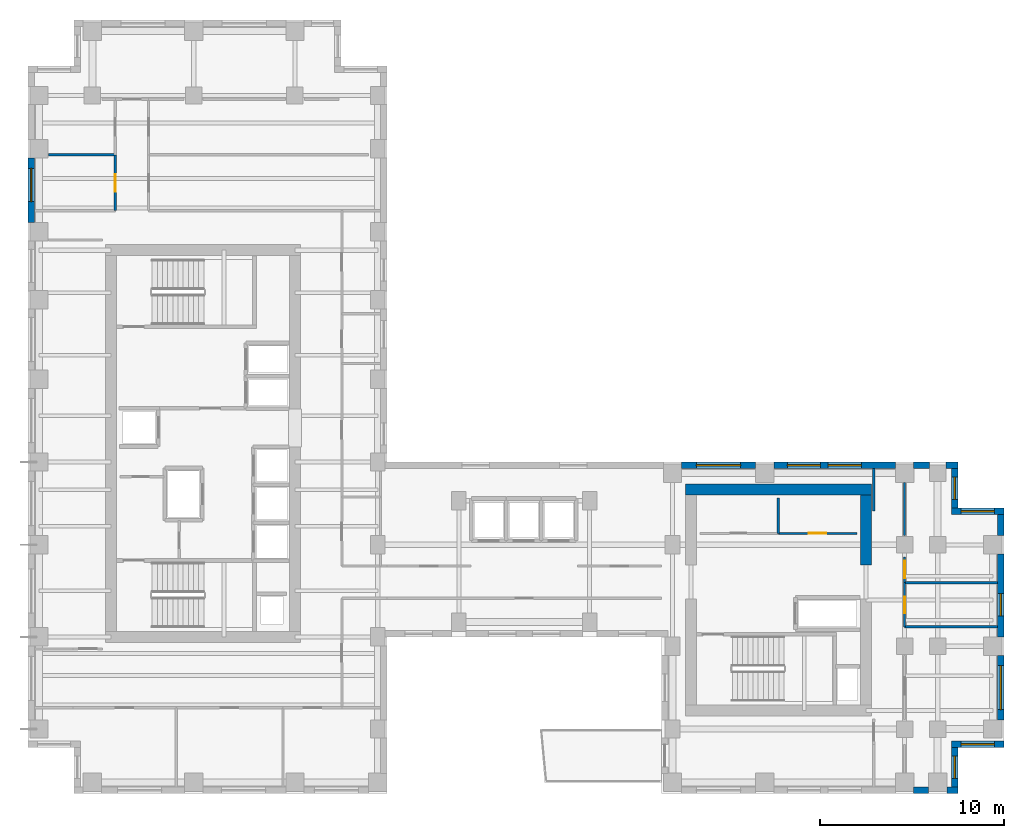
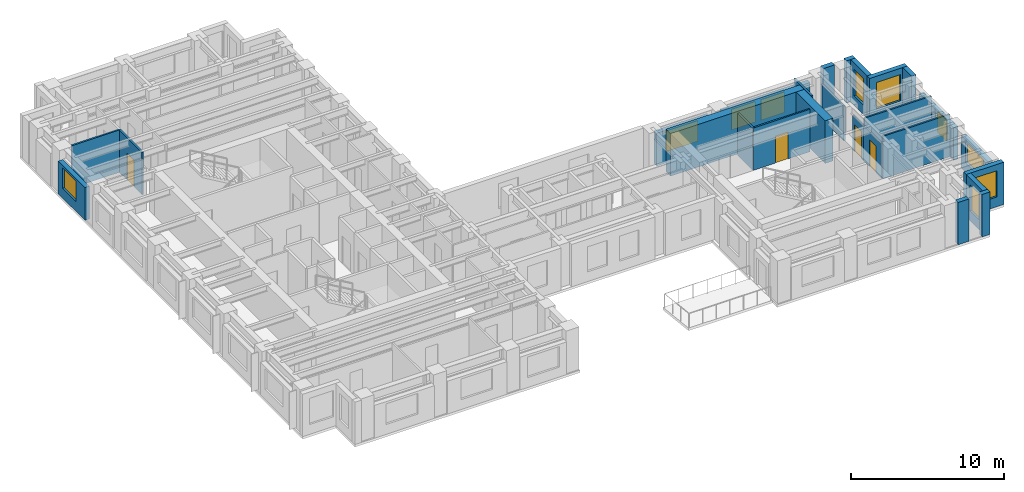
# One storey, part 7 of 11: 26 walls, 10 windows, 4 doors, 14 openings.
"""IFC4 building model written with IfcOpenShell, lengths in metres."""

from ifc_helpers import new_model, si_unit, direction, frame, frame_2d, origin, place, context, subcontext, project, spatial, rectangle, extrude, source, transform, mapped, material, layer, layer_set, type_object, element, fill, save


model = new_model("IFC4")

# Units and contexts
model_context = context("Model", 3, precision=1e-05, world=origin(), true_north=direction((0.0, 1.0)))
body_context = subcontext(model_context, "Body", "Model", "MODEL_VIEW")
ifc_project = project(units=[si_unit("LENGTHUNIT", "METRE"), si_unit("AREAUNIT", "SQUARE_METRE"), si_unit("VOLUMEUNIT", "CUBIC_METRE"), si_unit("PLANEANGLEUNIT", "RADIAN"), si_unit("MASSUNIT", "GRAM", prefix="KILO")], contexts=[model_context])

# Site, building, storey
site_placement = place(None, origin())
site = spatial("IfcSite", under=ifc_project, at=site_placement, CompositionType="ELEMENT")
building_placement = place(site_placement, origin())
building = spatial("IfcBuilding", under=site, at=building_placement, Name="Kharzan Plaza Tower", CompositionType="ELEMENT")
storey_placement = place(building_placement, frame((0.0, 0.0, 193.5)))
storey = spatial("IfcBuildingStorey", under=building, at=storey_placement, Name="L52", CompositionType="ELEMENT", Elevation=193.5)

# Wall, opening, window
ifc_material_1 = material(Name="Concrete C40/50", Category="concrete")
ifc_layer_1 = layer(ifc_material_1, 0.35009765625)
ifc_layer_set_1 = layer_set([ifc_layer_1], Name="Concrete C40/50")
wall_type_1 = type_object("IfcWallType", Name="WL-EXT-MAS-Z3", PredefinedType="SOLIDWALL", material=ifc_layer_set_1)
wall_1_placement = place(storey_placement, frame((0.175048828125, 34.501953125, 0.0), z_axis=(0.0, 0.0, 1.0), x_axis=(0.0, -1.0, 0.0)))
wall_1 = element("IfcWall", 1, at=wall_1_placement, inside=storey, type_object=wall_type_1, Name="L52 Masonry-Frame Exterior Wall 11", PredefinedType="SOLIDWALL", context=body_context, shape_type="SweptSolid", body=[
    extrude(rectangle(XDim=3.50390625, YDim=0.35009765625, at=frame_2d((1.751953125, 0.0))), origin(), (0.0, 0.0, 1.0), 2.612060546875),
])
opening_1_placement = place(wall_1_placement, frame((0.56103515625, 0.0, 0.780029296875)))
opening_1 = element("IfcOpeningElement", 2, at=opening_1_placement, cuts=wall_1, Name="Opening W1", PredefinedType="OPENING", context=body_context, shape_type="SweptSolid", body=[
    extrude(rectangle(XDim=1.800048828125, YDim=1.652099609375, at=frame_2d((0.89990234375, 0.826171875))), frame((0.0, 0.18505859375, 0.0), z_axis=(0.0, -1.0, 0.0), x_axis=(1.0, 0.0, 0.0)), (0.0, 0.0, 1.0), 0.3701171875),
])
ifc_material_2 = material(Name="Low-E Double Glazing", Category="glass")
window_type_1 = type_object("IfcWindowType", Name="WN-REC-1800x2100", PartitioningType="SINGLE_PANEL", PredefinedType="WINDOW", material=ifc_material_2)
shared_shape_1 = source(origin(), body_context, "Body", "SweptSolid", [
    extrude(rectangle(XDim=1.800048828125, YDim=1.652099609375, at=frame_2d((0.89990234375, 0.826171875))), frame((0.0, 0.030029296875, 0.0), z_axis=(0.0, -1.0, 0.0), x_axis=(1.0, 0.0, 0.0)), (0.0, 0.0, 1.0), 0.06005859375),
])
window_1_placement = place(opening_1_placement, origin())
window_1 = element("IfcWindow", 3, at=window_1_placement, inside=storey, type_object=window_type_1, Name="L52 Recessed Solar-Control Window 11-1", OverallHeight=1.652099609375, OverallWidth=1.800048828125, PartitioningType="SINGLE_PANEL", PredefinedType="WINDOW", context=body_context, shape_type="MappedRepresentation", body=[
    mapped(shared_shape_1, transform((0.0, 0.0, 0.0), x_axis=(1.0, 0.0, 0.0), y_axis=(0.0, 1.0, 0.0), z_axis=(0.0, 0.0, 1.0))),
])
fill(opening_1, window_1)

wall_2_placement = place(storey_placement, frame((50.324951171875, 0.347900390625, 0.0), z_axis=(0.0, 0.0, 1.0), x_axis=(0.0, 1.0, 0.0)))
wall_2 = element("IfcWall", 4, at=wall_2_placement, inside=storey, type_object=wall_type_1, Name="L52 Masonry-Frame Exterior Wall 35", PredefinedType="SOLIDWALL", context=body_context, shape_type="SweptSolid", body=[
    extrude(rectangle(XDim=2.154052734375, YDim=0.35009765625, at=frame_2d((1.0771484375, 0.0))), origin(), (0.0, 0.0, 1.0), 3.385009765625),
])
opening_2_placement = place(wall_2_placement, frame((0.47705078125, 0.0, 0.780029296875)))
opening_2 = element("IfcOpeningElement", 5, at=opening_2_placement, cuts=wall_2, Name="Opening W3", PredefinedType="OPENING", context=body_context, shape_type="SweptSolid", body=[
    extrude(rectangle(XDim=1.199951171875, YDim=2.10009765625, at=frame_2d((0.60009765625, 1.050048828125))), frame((0.0, 0.18505859375, 0.0), z_axis=(0.0, -1.0, 0.0), x_axis=(1.0, 0.0, 0.0)), (0.0, 0.0, 1.0), 0.3701171875),
])
window_type_2 = type_object("IfcWindowType", Name="WN-REC-1200x2100", PartitioningType="SINGLE_PANEL", PredefinedType="WINDOW", material=ifc_material_2)
shared_shape_2 = source(origin(), body_context, "Body", "SweptSolid", [
    extrude(rectangle(XDim=1.199951171875, YDim=2.10009765625, at=frame_2d((0.60009765625, 1.050048828125))), frame((0.0, 0.030029296875, 0.0), z_axis=(0.0, -1.0, 0.0), x_axis=(1.0, 0.0, 0.0)), (0.0, 0.0, 1.0), 0.06005859375),
])
window_2_placement = place(opening_2_placement, origin())
window_2 = element("IfcWindow", 6, at=window_2_placement, inside=storey, type_object=window_type_2, Name="L52 Recessed Solar-Control Window 35-1", OverallHeight=2.10009765625, OverallWidth=1.199951171875, PartitioningType="SINGLE_PANEL", PredefinedType="WINDOW", context=body_context, shape_type="MappedRepresentation", body=[
    mapped(shared_shape_2, transform((0.0, 0.0, 0.0), x_axis=(1.0, 0.0, 0.0), y_axis=(0.0, 1.0, 0.0), z_axis=(0.0, 0.0, 1.0))),
])
fill(opening_2, window_2)

wall_3_placement = place(storey_placement, frame((50.14990234375, 2.675048828125, 0.0), z_axis=(0.0, 0.0, 1.0), x_axis=(1.0, 0.0, 0.0)))
wall_3 = element("IfcWall", 7, at=wall_3_placement, inside=storey, type_object=wall_type_1, Name="L52 Masonry-Frame Exterior Wall 36", PredefinedType="SOLIDWALL", context=body_context, shape_type="SweptSolid", body=[
    extrude(rectangle(XDim=2.85009765625, YDim=0.35009765625, at=frame_2d((1.425048828125, 0.0))), origin(), (0.0, 0.0, 1.0), 3.385009765625),
])
opening_3_placement = place(wall_3_placement, frame((0.52490234375, 0.0, 0.780029296875)))
opening_3 = element("IfcOpeningElement", 8, at=opening_3_placement, cuts=wall_3, Name="Opening W1", PredefinedType="OPENING", context=body_context, shape_type="SweptSolid", body=[
    extrude(rectangle(XDim=1.800048828125, YDim=2.10009765625, at=frame_2d((0.89990234375, 1.050048828125))), frame((0.0, 0.18505859375, 0.0), z_axis=(0.0, -1.0, 0.0), x_axis=(1.0, 0.0, 0.0)), (0.0, 0.0, 1.0), 0.3701171875),
])
shared_shape_3 = source(origin(), body_context, "Body", "SweptSolid", [
    extrude(rectangle(XDim=1.800048828125, YDim=2.10009765625, at=frame_2d((0.89990234375, 1.050048828125))), frame((0.0, 0.030029296875, 0.0), z_axis=(0.0, -1.0, 0.0), x_axis=(1.0, 0.0, 0.0)), (0.0, 0.0, 1.0), 0.06005859375),
])
window_3_placement = place(opening_3_placement, origin())
window_3 = element("IfcWindow", 9, at=window_3_placement, inside=storey, type_object=window_type_1, Name="L52 Recessed Solar-Control Window 36-1", OverallHeight=2.10009765625, OverallWidth=1.800048828125, PartitioningType="SINGLE_PANEL", PredefinedType="WINDOW", context=body_context, shape_type="MappedRepresentation", body=[
    mapped(shared_shape_3, transform((0.0, 0.0, 0.0), x_axis=(1.0, 0.0, 0.0), y_axis=(0.0, 1.0, 0.0), z_axis=(0.0, 0.0, 1.0))),
])
fill(opening_3, window_3)

wall_4_placement = place(storey_placement, frame((52.824951171875, 3.998046875, 0.0), z_axis=(0.0, 0.0, 1.0), x_axis=(0.0, 1.0, 0.0)))
wall_4 = element("IfcWall", 10, at=wall_4_placement, inside=storey, type_object=wall_type_1, Name="L52 Masonry-Frame Exterior Wall 37", PredefinedType="SOLIDWALL", context=body_context, shape_type="SweptSolid", body=[
    extrude(rectangle(XDim=3.50390625, YDim=0.35009765625, at=frame_2d((1.751953125, 0.0))), origin(), (0.0, 0.0, 1.0), 2.612060546875),
])
opening_4_placement = place(wall_4_placement, frame((0.552001953125, 0.0, 0.780029296875)))
opening_4 = element("IfcOpeningElement", 11, at=opening_4_placement, cuts=wall_4, Name="Opening W2", PredefinedType="OPENING", context=body_context, shape_type="SweptSolid", body=[
    extrude(rectangle(XDim=2.39990234375, YDim=1.652099609375, at=frame_2d((1.199951171875, 0.826171875))), frame((0.0, 0.18505859375, 0.0), z_axis=(0.0, -1.0, 0.0), x_axis=(1.0, 0.0, 0.0)), (0.0, 0.0, 1.0), 0.3701171875),
])
window_type_3 = type_object("IfcWindowType", Name="WN-REC-2400x2100", PartitioningType="SINGLE_PANEL", PredefinedType="WINDOW", material=ifc_material_2)
shared_shape_4 = source(origin(), body_context, "Body", "SweptSolid", [
    extrude(rectangle(XDim=2.39990234375, YDim=1.652099609375, at=frame_2d((1.199951171875, 0.826171875))), frame((0.0, 0.030029296875, 0.0), z_axis=(0.0, -1.0, 0.0), x_axis=(1.0, 0.0, 0.0)), (0.0, 0.0, 1.0), 0.06005859375),
])
window_4_placement = place(opening_4_placement, origin())
window_4 = element("IfcWindow", 12, at=window_4_placement, inside=storey, type_object=window_type_3, Name="L52 Wide Recessed Solar-Control Window 37-1", OverallHeight=1.652099609375, OverallWidth=2.39990234375, PartitioningType="SINGLE_PANEL", PredefinedType="WINDOW", context=body_context, shape_type="MappedRepresentation", body=[
    mapped(shared_shape_4, transform((0.0, 0.0, 0.0), x_axis=(1.0, 0.0, 0.0), y_axis=(0.0, 1.0, 0.0), z_axis=(0.0, 0.0, 1.0))),
])
fill(opening_4, window_4)

wall_5_placement = place(storey_placement, frame((52.824951171875, 8.498046875, 0.0), z_axis=(0.0, 0.0, 1.0), x_axis=(0.0, 1.0, 0.0)))
wall_5 = element("IfcWall", 13, at=wall_5_placement, inside=storey, type_object=wall_type_1, Name="L52 Masonry-Frame Exterior Wall 38", PredefinedType="SOLIDWALL", context=body_context, shape_type="SweptSolid", body=[
    extrude(rectangle(XDim=4.50390625, YDim=0.35009765625, at=frame_2d((2.251953125, 0.0))), origin(), (0.0, 0.0, 1.0), 2.612060546875),
])
opening_5_placement = place(wall_5_placement, frame((1.152099609375, 0.0, 0.780029296875)))
opening_5 = element("IfcOpeningElement", 14, at=opening_5_placement, cuts=wall_5, Name="Opening W3", PredefinedType="OPENING", context=body_context, shape_type="SweptSolid", body=[
    extrude(rectangle(XDim=1.199951171875, YDim=1.652099609375, at=frame_2d((0.60009765625, 0.826171875))), frame((0.0, 0.18505859375, 0.0), z_axis=(0.0, -1.0, 0.0), x_axis=(1.0, 0.0, 0.0)), (0.0, 0.0, 1.0), 0.3701171875),
])
shared_shape_5 = source(origin(), body_context, "Body", "SweptSolid", [
    extrude(rectangle(XDim=1.199951171875, YDim=1.652099609375, at=frame_2d((0.60009765625, 0.826171875))), frame((0.0, 0.030029296875, 0.0), z_axis=(0.0, -1.0, 0.0), x_axis=(1.0, 0.0, 0.0)), (0.0, 0.0, 1.0), 0.06005859375),
])
window_5_placement = place(opening_5_placement, origin())
window_5 = element("IfcWindow", 15, at=window_5_placement, inside=storey, type_object=window_type_2, Name="L52 Recessed Solar-Control Window 38-1", OverallHeight=1.652099609375, OverallWidth=1.199951171875, PartitioningType="SINGLE_PANEL", PredefinedType="WINDOW", context=body_context, shape_type="MappedRepresentation", body=[
    mapped(shared_shape_5, transform((0.0, 0.0, 0.0), x_axis=(1.0, 0.0, 0.0), y_axis=(0.0, 1.0, 0.0), z_axis=(0.0, 0.0, 1.0))),
])
fill(opening_5, window_5)

wall_6_placement = place(storey_placement, frame((53.0, 15.324951171875, 0.0), z_axis=(0.0, 0.0, 1.0), x_axis=(-1.0, 0.0, 0.0)))
wall_6 = element("IfcWall", 16, at=wall_6_placement, inside=storey, type_object=wall_type_1, Name="L52 Masonry-Frame Exterior Wall 40", PredefinedType="SOLIDWALL", context=body_context, shape_type="SweptSolid", body=[
    extrude(rectangle(XDim=2.85009765625, YDim=0.35009765625, at=frame_2d((1.425048828125, 0.0))), origin(), (0.0, 0.0, 1.0), 3.385009765625),
])
opening_6_placement = place(wall_6_placement, frame((0.52490234375, 0.0, 0.780029296875)))
opening_6 = element("IfcOpeningElement", 17, at=opening_6_placement, cuts=wall_6, Name="Opening W1", PredefinedType="OPENING", context=body_context, shape_type="SweptSolid", body=[
    extrude(rectangle(XDim=1.800048828125, YDim=2.10009765625, at=frame_2d((0.89990234375, 1.050048828125))), frame((0.0, 0.18505859375, 0.0), z_axis=(0.0, -1.0, 0.0), x_axis=(1.0, 0.0, 0.0)), (0.0, 0.0, 1.0), 0.3701171875),
])
window_6_placement = place(opening_6_placement, origin())
window_6 = element("IfcWindow", 18, at=window_6_placement, inside=storey, type_object=window_type_1, Name="L52 Recessed Solar-Control Window 40-1", OverallHeight=2.10009765625, OverallWidth=1.800048828125, PartitioningType="SINGLE_PANEL", PredefinedType="WINDOW", context=body_context, shape_type="MappedRepresentation", body=[
    mapped(shared_shape_3, transform((0.0, 0.0, 0.0), x_axis=(1.0, 0.0, 0.0), y_axis=(0.0, 1.0, 0.0), z_axis=(0.0, 0.0, 1.0))),
])
fill(opening_6, window_6)

wall_7_placement = place(storey_placement, frame((50.324951171875, 15.498046875, 0.0), z_axis=(0.0, 0.0, 1.0), x_axis=(0.0, 1.0, 0.0)))
wall_7 = element("IfcWall", 19, at=wall_7_placement, inside=storey, type_object=wall_type_1, Name="L52 Masonry-Frame Exterior Wall 41", PredefinedType="SOLIDWALL", context=body_context, shape_type="SweptSolid", body=[
    extrude(rectangle(XDim=2.154052734375, YDim=0.35009765625, at=frame_2d((1.0771484375, 0.0))), origin(), (0.0, 0.0, 1.0), 3.385009765625),
])
opening_7_placement = place(wall_7_placement, frame((0.47705078125, 0.0, 0.780029296875)))
opening_7 = element("IfcOpeningElement", 20, at=opening_7_placement, cuts=wall_7, Name="Opening W3", PredefinedType="OPENING", context=body_context, shape_type="SweptSolid", body=[
    extrude(rectangle(XDim=1.199951171875, YDim=2.10009765625, at=frame_2d((0.60009765625, 1.050048828125))), frame((0.0, 0.18505859375, 0.0), z_axis=(0.0, -1.0, 0.0), x_axis=(1.0, 0.0, 0.0)), (0.0, 0.0, 1.0), 0.3701171875),
])
window_7_placement = place(opening_7_placement, origin())
window_7 = element("IfcWindow", 21, at=window_7_placement, inside=storey, type_object=window_type_2, Name="L52 Recessed Solar-Control Window 41-1", OverallHeight=2.10009765625, OverallWidth=1.199951171875, PartitioningType="SINGLE_PANEL", PredefinedType="WINDOW", context=body_context, shape_type="MappedRepresentation", body=[
    mapped(shared_shape_2, transform((0.0, 0.0, 0.0), x_axis=(1.0, 0.0, 0.0), y_axis=(0.0, 1.0, 0.0), z_axis=(0.0, 0.0, 1.0))),
])
fill(opening_7, window_7)

# Wall, openings, windows
wall_8_placement = place(storey_placement, frame((47.10205078125, 17.824951171875, 0.0), z_axis=(0.0, 0.0, 1.0), x_axis=(-1.0, 0.0, 0.0)))
wall_8 = element("IfcWall", 22, at=wall_8_placement, inside=storey, type_object=wall_type_1, Name="L52 Masonry-Frame Exterior Wall 44", PredefinedType="SOLIDWALL", context=body_context, shape_type="SweptSolid", body=[
    extrude(rectangle(XDim=6.60400390625, YDim=0.35009765625, at=frame_2d((3.302001953125, 0.0))), origin(), (0.0, 0.0, 1.0), 2.612060546875),
])
opening_8_placement = place(wall_8_placement, frame((1.849365234375, 0.0, 0.780029296875)))
opening_8 = element("IfcOpeningElement", 23, at=opening_8_placement, cuts=wall_8, Name="Opening W1", PredefinedType="OPENING", context=body_context, shape_type="SweptSolid", body=[
    extrude(rectangle(XDim=1.800048828125, YDim=1.652099609375, at=frame_2d((0.89990234375, 0.826171875))), frame((0.0, 0.18505859375, 0.0), z_axis=(0.0, -1.0, 0.0), x_axis=(1.0, 0.0, 0.0)), (0.0, 0.0, 1.0), 0.3701171875),
])
opening_9_placement = place(wall_8_placement, frame((4.066650390625, 0.0, 0.780029296875)))
opening_9 = element("IfcOpeningElement", 24, at=opening_9_placement, cuts=wall_8, Name="Opening W1", PredefinedType="OPENING", context=body_context, shape_type="SweptSolid", body=[
    extrude(rectangle(XDim=1.800048828125, YDim=1.652099609375, at=frame_2d((0.89990234375, 0.826171875))), frame((0.0, 0.18505859375, 0.0), z_axis=(0.0, -1.0, 0.0), x_axis=(1.0, 0.0, 0.0)), (0.0, 0.0, 1.0), 0.3701171875),
])
window_8_placement = place(opening_8_placement, origin())
window_8 = element("IfcWindow", 25, at=window_8_placement, inside=storey, type_object=window_type_1, Name="L52 Recessed Solar-Control Window 44-1", OverallHeight=1.652099609375, OverallWidth=1.800048828125, PartitioningType="SINGLE_PANEL", PredefinedType="WINDOW", context=body_context, shape_type="MappedRepresentation", body=[
    mapped(shared_shape_1, transform((0.0, 0.0, 0.0), x_axis=(1.0, 0.0, 0.0), y_axis=(0.0, 1.0, 0.0), z_axis=(0.0, 0.0, 1.0))),
])
fill(opening_8, window_8)
window_9_placement = place(opening_9_placement, origin())
window_9 = element("IfcWindow", 26, at=window_9_placement, inside=storey, type_object=window_type_1, Name="L52 Recessed Solar-Control Window 44-2", OverallHeight=1.652099609375, OverallWidth=1.800048828125, PartitioningType="SINGLE_PANEL", PredefinedType="WINDOW", context=body_context, shape_type="MappedRepresentation", body=[
    mapped(shared_shape_1, transform((0.0, 0.0, 0.0), x_axis=(1.0, 0.0, 0.0), y_axis=(0.0, 1.0, 0.0), z_axis=(0.0, 0.0, 1.0))),
])
fill(opening_9, window_9)

# Wall, opening, window
wall_9_placement = place(storey_placement, frame((39.501953125, 17.824951171875, 0.0), z_axis=(0.0, 0.0, 1.0), x_axis=(-1.0, 0.0, 0.0)))
wall_9 = element("IfcWall", 27, at=wall_9_placement, inside=storey, type_object=wall_type_1, Name="L52 Masonry-Frame Exterior Wall 45", PredefinedType="SOLIDWALL", context=body_context, shape_type="SweptSolid", body=[
    extrude(rectangle(XDim=4.00390625, YDim=0.35009765625, at=frame_2d((2.001953125, 0.0))), origin(), (0.0, 0.0, 1.0), 2.612060546875),
])
opening_10_placement = place(wall_9_placement, frame((0.802001953125, 0.0, 0.780029296875)))
opening_10 = element("IfcOpeningElement", 28, at=opening_10_placement, cuts=wall_9, Name="Opening W2", PredefinedType="OPENING", context=body_context, shape_type="SweptSolid", body=[
    extrude(rectangle(XDim=2.39990234375, YDim=1.652099609375, at=frame_2d((1.199951171875, 0.826171875))), frame((0.0, 0.18505859375, 0.0), z_axis=(0.0, -1.0, 0.0), x_axis=(1.0, 0.0, 0.0)), (0.0, 0.0, 1.0), 0.3701171875),
])
window_10_placement = place(opening_10_placement, origin())
window_10 = element("IfcWindow", 29, at=window_10_placement, inside=storey, type_object=window_type_3, Name="L52 Wide Recessed Solar-Control Window 45-1", OverallHeight=1.652099609375, OverallWidth=2.39990234375, PartitioningType="SINGLE_PANEL", PredefinedType="WINDOW", context=body_context, shape_type="MappedRepresentation", body=[
    mapped(shared_shape_4, transform((0.0, 0.0, 0.0), x_axis=(1.0, 0.0, 0.0), y_axis=(0.0, 1.0, 0.0), z_axis=(0.0, 0.0, 1.0))),
])
fill(opening_10, window_10)

# Wall, opening, door
ifc_material_3 = material(Name="Fire-Rated Gypsum Board Partition", Category="gypsum")
ifc_layer_2 = layer(ifc_material_3, 0.125)
ifc_layer_set_2 = layer_set([ifc_layer_2], Name="Fire-Rated Gypsum Board Partition")
wall_type_2 = type_object("IfcWallType", Name="WL-INT-PART-125", PredefinedType="PARTITIONING", material=ifc_layer_set_2)
wall_10_placement = place(storey_placement, frame((40.75, 14.1201171875, 0.0), z_axis=(0.0, 0.0, 1.0), x_axis=(1.0, 0.0, 0.0)))
wall_10 = element("IfcWall", 30, at=wall_10_placement, inside=storey, type_object=wall_type_2, Name="L52 Interior Partition CB-RBLS2", PredefinedType="PARTITIONING", context=body_context, shape_type="SweptSolid", body=[
    extrude(rectangle(XDim=4.27001953125, YDim=0.125, at=frame_2d((2.135009765625, 0.0))), origin(), (0.0, 0.0, 1.0), 3.385009765625),
])
opening_11_placement = place(wall_10_placement, frame((1.659912109375, 0.0, 0.0)))
opening_11 = element("IfcOpeningElement", 31, at=opening_11_placement, cuts=wall_10, Name="Opening OD1", PredefinedType="OPENING", context=body_context, shape_type="SweptSolid", body=[
    extrude(rectangle(XDim=0.949951171875, YDim=2.14990234375, at=frame_2d((0.47509765625, 1.074951171875))), frame((0.0, 0.072509765625, 0.0), z_axis=(0.0, -1.0, 0.0), x_axis=(1.0, 0.0, 0.0)), (0.0, 0.0, 1.0), 0.14501953125),
])
ifc_material_4 = material(Name="Acoustic Solid-Core Stained Oak", Category="timber")
door_type_1 = type_object("IfcDoorType", Name="DR-OFF-SINGLE", OperationType="NOTDEFINED", PredefinedType="DOOR", material=ifc_material_4)
shared_shape_6 = source(origin(), body_context, "Body", "SweptSolid", [
    extrude(rectangle(XDim=0.949951171875, YDim=2.14990234375, at=frame_2d((0.47509765625, 1.074951171875))), frame((0.0, 0.02490234375, 0.0), z_axis=(0.0, -1.0, 0.0), x_axis=(1.0, 0.0, 0.0)), (0.0, 0.0, 1.0), 0.050048828125),
])
door_1_placement = place(opening_11_placement, origin())
door_1 = element("IfcDoor", 32, at=door_1_placement, inside=storey, type_object=door_type_1, Name="L52 Print Room Door", OperationType="SINGLE_SWING_LEFT", OverallHeight=2.14990234375, OverallWidth=0.949951171875, PredefinedType="DOOR", context=body_context, shape_type="MappedRepresentation", body=[
    mapped(shared_shape_6, transform((0.0, 0.0, 0.0), x_axis=(1.0, 0.0, 0.0), y_axis=(0.0, 1.0, 0.0), z_axis=(0.0, 0.0, 1.0))),
])
fill(opening_11, door_1)

wall_11_placement = place(storey_placement, frame((47.60009765625, 11.449951171875, 0.0), z_axis=(0.0, 0.0, 1.0), x_axis=(0.0, 1.0, 0.0)))
wall_11 = element("IfcWall", 33, at=wall_11_placement, inside=storey, type_object=wall_type_2, Name="L52 Interior Partition SH-B1W1", PredefinedType="PARTITIONING", context=body_context, shape_type="SweptSolid", body=[
    extrude(rectangle(XDim=1.400146484375, YDim=0.125, at=frame_2d((0.7001953125, 0.0))), origin(), (0.0, 0.0, 1.0), 2.77294921875),
])
opening_12_placement = place(wall_11_placement, frame((0.22509765625, 0.0, 0.0)))
opening_12 = element("IfcOpeningElement", 34, at=opening_12_placement, cuts=wall_11, Name="Opening OD1", PredefinedType="OPENING", context=body_context, shape_type="SweptSolid", body=[
    extrude(rectangle(XDim=0.949951171875, YDim=2.14990234375, at=frame_2d((0.47509765625, 1.074951171875))), frame((0.0, 0.072509765625, 0.0), z_axis=(0.0, -1.0, 0.0), x_axis=(1.0, 0.0, 0.0)), (0.0, 0.0, 1.0), 0.14501953125),
])
door_2_placement = place(opening_12_placement, origin())
door_2 = element("IfcDoor", 35, at=door_2_placement, inside=storey, type_object=door_type_1, Name="L52 Wing B North Office Door", OperationType="SINGLE_SWING_LEFT", OverallHeight=2.14990234375, OverallWidth=0.949951171875, PredefinedType="DOOR", context=body_context, shape_type="MappedRepresentation", body=[
    mapped(shared_shape_6, transform((0.0, 0.0, 0.0), x_axis=(1.0, 0.0, 0.0), y_axis=(0.0, 1.0, 0.0), z_axis=(0.0, 0.0, 1.0))),
])
fill(opening_12, door_2)

wall_12_placement = place(storey_placement, frame((47.60009765625, 9.050048828125, 0.0), z_axis=(0.0, 0.0, 1.0), x_axis=(0.0, 1.0, 0.0)))
wall_12 = element("IfcWall", 36, at=wall_12_placement, inside=storey, type_object=wall_type_2, Name="L52 Interior Partition SH-B1WC", PredefinedType="PARTITIONING", context=body_context, shape_type="SweptSolid", body=[
    extrude(rectangle(XDim=2.39990234375, YDim=0.125, at=frame_2d((1.199951171875, 0.0))), origin(), (0.0, 0.0, 1.0), 2.77294921875),
])
opening_13_placement = place(wall_12_placement, frame((0.72509765625, 0.0, 0.0)))
opening_13 = element("IfcOpeningElement", 37, at=opening_13_placement, cuts=wall_12, Name="Opening WD1", PredefinedType="OPENING", context=body_context, shape_type="SweptSolid", body=[
    extrude(rectangle(XDim=0.89990234375, YDim=2.14990234375, at=frame_2d((0.449951171875, 1.074951171875))), frame((0.0, 0.072509765625, 0.0), z_axis=(0.0, -1.0, 0.0), x_axis=(1.0, 0.0, 0.0)), (0.0, 0.0, 1.0), 0.14501953125),
])
ifc_material_5 = material(Name="Moisture-Resistant Fire-Rated Laminate", Category="timber")
door_type_2 = type_object("IfcDoorType", Name="DR-WC-900", OperationType="NOTDEFINED", PredefinedType="DOOR", material=ifc_material_5)
shared_shape_7 = source(origin(), body_context, "Body", "SweptSolid", [
    extrude(rectangle(XDim=0.89990234375, YDim=2.14990234375, at=frame_2d((0.449951171875, 1.074951171875))), frame((0.0, 0.02490234375, 0.0), z_axis=(0.0, -1.0, 0.0), x_axis=(1.0, 0.0, 0.0)), (0.0, 0.0, 1.0), 0.050048828125),
])
door_3_placement = place(opening_13_placement, origin())
door_3 = element("IfcDoor", 38, at=door_3_placement, inside=storey, type_object=door_type_2, Name="L52 Wing B Washroom Door", OperationType="SINGLE_SWING_LEFT", OverallHeight=2.14990234375, OverallWidth=0.89990234375, PredefinedType="DOOR", context=body_context, shape_type="MappedRepresentation", body=[
    mapped(shared_shape_7, transform((0.0, 0.0, 0.0), x_axis=(1.0, 0.0, 0.0), y_axis=(0.0, 1.0, 0.0), z_axis=(0.0, 0.0, 1.0))),
])
fill(opening_13, door_3)

wall_13_placement = place(storey_placement, frame((4.75, 31.64990234375, 0.0), z_axis=(0.0, 0.0, 1.0), x_axis=(0.0, 1.0, 0.0)))
wall_13 = element("IfcWall", 39, at=wall_13_placement, inside=storey, type_object=wall_type_2, Name="L52 Interior Partition SH-SPW-1", PredefinedType="PARTITIONING", context=body_context, shape_type="SweptSolid", body=[
    extrude(rectangle(XDim=3.025146484375, YDim=0.125, at=frame_2d((1.5126953125, 0.0))), origin(), (0.0, 0.0, 1.0), 3.385009765625),
])
opening_14_placement = place(wall_13_placement, frame((1.03759765625, 0.0, 0.0)))
opening_14 = element("IfcOpeningElement", 40, at=opening_14_placement, cuts=wall_13, Name="Opening OD1", PredefinedType="OPENING", context=body_context, shape_type="SweptSolid", body=[
    extrude(rectangle(XDim=0.949951171875, YDim=2.14990234375, at=frame_2d((0.47509765625, 1.074951171875))), frame((0.0, 0.072509765625, 0.0), z_axis=(0.0, -1.0, 0.0), x_axis=(1.0, 0.0, 0.0)), (0.0, 0.0, 1.0), 0.14501953125),
])
door_4_placement = place(opening_14_placement, origin())
door_4 = element("IfcDoor", 41, at=door_4_placement, inside=storey, type_object=door_type_1, Name="L52 Staff Tea Pantry Door", OperationType="SINGLE_SWING_RIGHT", OverallHeight=2.14990234375, OverallWidth=0.949951171875, PredefinedType="DOOR", context=body_context, shape_type="MappedRepresentation", body=[
    mapped(shared_shape_6, transform((0.0, 0.0, 0.0), x_axis=(1.0, 0.0, 0.0), y_axis=(0.0, 1.0, 0.0), z_axis=(0.0, 0.0, 1.0))),
])
fill(opening_14, door_4)

# Walls
ifc_material_6 = material(Name="Concrete C50/60", Category="concrete")
ifc_layer_3 = layer(ifc_material_6, 0.60009765625)
ifc_layer_set_3 = layer_set([ifc_layer_3], Name="Concrete C50/60")
wall_type_3 = type_object("IfcWallType", Name="WL-CORE-600", PredefinedType="SHEAR", material=ifc_layer_set_3)
shared_shape_8 = source(origin(), body_context, "Body", "SweptSolid", [
    extrude(rectangle(XDim=3.800048828125, YDim=0.60009765625, at=frame_2d((1.89990234375, 0.0))), origin(), (0.0, 0.0, 1.0), 3.39990234375),
])
wall_14_placement = place(storey_placement, frame((45.5, 12.39990234375, 0.0), z_axis=(0.0, 0.0, 1.0), x_axis=(0.0, 1.0, 0.0)))
element("IfcWall", 42, at=wall_14_placement, inside=storey, type_object=wall_type_3, Name="L52 CORE-B east shear pier 2", PredefinedType="SHEAR", context=body_context, shape_type="MappedRepresentation", body=[
    mapped(shared_shape_8, transform((0.0, 0.0, 0.0), x_axis=(1.0, 0.0, 0.0), y_axis=(0.0, 1.0, 0.0), z_axis=(0.0, 0.0, 1.0))),
])
shared_shape_9 = source(origin(), body_context, "Body", "SweptSolid", [
    extrude(rectangle(XDim=10.10009765625, YDim=0.60009765625, at=frame_2d((5.050048828125, 0.0))), origin(), (0.0, 0.0, 1.0), 3.39990234375),
])
wall_15_placement = place(storey_placement, frame((35.699951171875, 16.5, 0.0), z_axis=(0.0, 0.0, 1.0), x_axis=(1.0, 0.0, 0.0)))
element("IfcWall", 43, at=wall_15_placement, inside=storey, type_object=wall_type_3, Name="L52 CORE-B north RC shear wall", PredefinedType="SHEAR", context=body_context, shape_type="MappedRepresentation", body=[
    mapped(shared_shape_9, transform((0.0, 0.0, 0.0), x_axis=(1.0, 0.0, 0.0), y_axis=(0.0, 1.0, 0.0), z_axis=(0.0, 0.0, 1.0))),
])
shared_shape_10 = source(origin(), body_context, "Body", "SweptSolid", [
    extrude(rectangle(XDim=0.80419921875, YDim=0.35009765625, at=frame_2d((0.402099609375, 0.0))), origin(), (0.0, 0.0, 1.0), 3.385009765625),
])
wall_16_placement = place(storey_placement, frame((48.097900390625, 0.175048828125, 0.0), z_axis=(0.0, 0.0, 1.0), x_axis=(1.0, 0.0, 0.0)))
element("IfcWall", 44, at=wall_16_placement, inside=storey, type_object=wall_type_1, Name="L52 Masonry-Frame Exterior Wall 33", PredefinedType="SOLIDWALL", context=body_context, shape_type="MappedRepresentation", body=[
    mapped(shared_shape_10, transform((0.0, 0.0, 0.0), x_axis=(1.0, 0.0, 0.0), y_axis=(0.0, 1.0, 0.0), z_axis=(0.0, 0.0, 1.0))),
])
shared_shape_11 = source(origin(), body_context, "Body", "SweptSolid", [
    extrude(rectangle(XDim=0.60205078125, YDim=0.35009765625, at=frame_2d((0.301025390625, 0.0))), origin(), (0.0, 0.0, 1.0), 3.385009765625),
])
wall_17_placement = place(storey_placement, frame((49.89794921875, 0.175048828125, 0.0), z_axis=(0.0, 0.0, 1.0), x_axis=(1.0, 0.0, 0.0)))
element("IfcWall", 45, at=wall_17_placement, inside=storey, type_object=wall_type_1, Name="L52 Masonry-Frame Exterior Wall 34", PredefinedType="SOLIDWALL", context=body_context, shape_type="MappedRepresentation", body=[
    mapped(shared_shape_11, transform((0.0, 0.0, 0.0), x_axis=(1.0, 0.0, 0.0), y_axis=(0.0, 1.0, 0.0), z_axis=(0.0, 0.0, 1.0))),
])
shared_shape_12 = source(origin(), body_context, "Body", "SweptSolid", [
    extrude(rectangle(XDim=1.154052734375, YDim=0.35009765625, at=frame_2d((0.5771484375, 0.0))), origin(), (0.0, 0.0, 1.0), 3.385009765625),
])
wall_18_placement = place(storey_placement, frame((52.824951171875, 13.998046875, 0.0), z_axis=(0.0, 0.0, 1.0), x_axis=(0.0, 1.0, 0.0)))
element("IfcWall", 46, at=wall_18_placement, inside=storey, type_object=wall_type_1, Name="L52 Masonry-Frame Exterior Wall 39", PredefinedType="SOLIDWALL", context=body_context, shape_type="MappedRepresentation", body=[
    mapped(shared_shape_12, transform((0.0, 0.0, 0.0), x_axis=(1.0, 0.0, 0.0), y_axis=(0.0, 1.0, 0.0), z_axis=(0.0, 0.0, 1.0))),
])
shared_shape_13 = source(origin(), body_context, "Body", "SweptSolid", [
    extrude(rectangle(XDim=0.652099609375, YDim=0.35009765625, at=frame_2d((0.326171875, 0.0))), origin(), (0.0, 0.0, 1.0), 3.385009765625),
])
wall_19_placement = place(storey_placement, frame((50.5, 17.824951171875, 0.0), z_axis=(0.0, 0.0, 1.0), x_axis=(-1.0, 0.0, 0.0)))
element("IfcWall", 47, at=wall_19_placement, inside=storey, type_object=wall_type_1, Name="L52 Masonry-Frame Exterior Wall 42", PredefinedType="SOLIDWALL", context=body_context, shape_type="MappedRepresentation", body=[
    mapped(shared_shape_13, transform((0.0, 0.0, 0.0), x_axis=(1.0, 0.0, 0.0), y_axis=(0.0, 1.0, 0.0), z_axis=(0.0, 0.0, 1.0))),
])
shared_shape_14 = source(origin(), body_context, "Body", "SweptSolid", [
    extrude(rectangle(XDim=0.85400390625, YDim=0.35009765625, at=frame_2d((0.427001953125, 0.0))), origin(), (0.0, 0.0, 1.0), 3.385009765625),
])
wall_20_placement = place(storey_placement, frame((48.951904296875, 17.824951171875, 0.0), z_axis=(0.0, 0.0, 1.0), x_axis=(-1.0, 0.0, 0.0)))
element("IfcWall", 48, at=wall_20_placement, inside=storey, type_object=wall_type_1, Name="L52 Masonry-Frame Exterior Wall 43", PredefinedType="SOLIDWALL", context=body_context, shape_type="MappedRepresentation", body=[
    mapped(shared_shape_14, transform((0.0, 0.0, 0.0), x_axis=(1.0, 0.0, 0.0), y_axis=(0.0, 1.0, 0.0), z_axis=(0.0, 0.0, 1.0))),
])
shared_shape_15 = source(origin(), body_context, "Body", "SweptSolid", [
    extrude(rectangle(XDim=1.929931640625, YDim=0.125, at=frame_2d((0.96484375, 0.0))), origin(), (0.0, 0.0, 1.0), 3.385009765625),
])
wall_21_placement = place(storey_placement, frame((40.75, 14.1201171875, 0.0), z_axis=(0.0, 0.0, 1.0), x_axis=(0.0, 1.0, 0.0)))
element("IfcWall", 49, at=wall_21_placement, inside=storey, type_object=wall_type_2, Name="L52 Interior Partition CB-RBLM1", PredefinedType="PARTITIONING", context=body_context, shape_type="MappedRepresentation", body=[
    mapped(shared_shape_15, transform((0.0, 0.0, 0.0), x_axis=(1.0, 0.0, 0.0), y_axis=(0.0, 1.0, 0.0), z_axis=(0.0, 0.0, 1.0))),
])
shared_shape_16 = source(origin(), body_context, "Body", "SweptSolid", [
    extrude(rectangle(XDim=5.0478515625, YDim=0.125, at=frame_2d((2.52392578125, 0.0))), origin(), (0.0, 0.0, 1.0), 3.385009765625),
])
for number, where, z_axis, x_axis, name in (
    (50, (47.60009765625, 11.449951171875, 0.0), (0.0, 0.0, 1.0), (1.0, 0.0, 0.0), "L52 Interior Partition SH-B1H-118"),
    (51, (47.60009765625, 9.050048828125, 0.0), (0.0, 0.0, 1.0), (1.0, 0.0, 0.0), "L52 Interior Partition SH-B1H-90"),
):
    element("IfcWall", number, at=place(storey_placement, frame(where, z_axis=z_axis, x_axis=x_axis)), inside=storey, type_object=wall_type_2, Name=name, PredefinedType="PARTITIONING", context=body_context, shape_type="MappedRepresentation", body=[
        mapped(shared_shape_16, transform((0.0, 0.0, 0.0), x_axis=(1.0, 0.0, 0.0), y_axis=(0.0, 1.0, 0.0), z_axis=(0.0, 0.0, 1.0))),
    ])
shared_shape_17 = source(origin(), body_context, "Body", "SweptSolid", [
    extrude(rectangle(XDim=2.85986328125, YDim=0.125, at=frame_2d((1.429931640625, 0.0))), origin(), (0.0, 0.0, 1.0), 2.77294921875),
])
wall_22_placement = place(storey_placement, frame((47.60009765625, 14.02001953125, 0.0), z_axis=(0.0, 0.0, 1.0), x_axis=(0.0, 1.0, 0.0)))
element("IfcWall", 52, at=wall_22_placement, inside=storey, type_object=wall_type_2, Name="L52 Interior Partition SH-B1W1N", PredefinedType="PARTITIONING", context=body_context, shape_type="MappedRepresentation", body=[
    mapped(shared_shape_17, transform((0.0, 0.0, 0.0), x_axis=(1.0, 0.0, 0.0), y_axis=(0.0, 1.0, 0.0), z_axis=(0.0, 0.0, 1.0))),
])
shared_shape_18 = source(origin(), body_context, "Body", "SweptSolid", [
    extrude(rectangle(XDim=3.6298828125, YDim=0.125, at=frame_2d((1.81494140625, 0.0))), origin(), (0.0, 0.0, 1.0), 3.385009765625),
])
wall_23_placement = place(storey_placement, frame((1.1201171875, 34.675048828125, 0.0), z_axis=(0.0, 0.0, 1.0), x_axis=(1.0, 0.0, 0.0)))
element("IfcWall", 53, at=wall_23_placement, inside=storey, type_object=wall_type_2, Name="L52 Interior Partition SH-NWH-1", PredefinedType="PARTITIONING", context=body_context, shape_type="MappedRepresentation", body=[
    mapped(shared_shape_18, transform((0.0, 0.0, 0.0), x_axis=(1.0, 0.0, 0.0), y_axis=(0.0, 1.0, 0.0), z_axis=(0.0, 0.0, 1.0))),
])
shared_shape_19 = source(origin(), body_context, "Body", "SweptSolid", [
    extrude(rectangle(XDim=2.2978515625, YDim=0.125, at=frame_2d((1.14892578125, 0.0))), origin(), (0.0, 0.0, 1.0), 3.385009765625),
])
wall_24_placement = place(storey_placement, frame((45.919921875, 15.35009765625, 0.0), z_axis=(0.0, 0.0, 1.0), x_axis=(0.0, 1.0, 0.0)))
element("IfcWall", 54, at=wall_24_placement, inside=storey, type_object=wall_type_2, Name="L52 Interior Partition SH-RBNE0", PredefinedType="PARTITIONING", context=body_context, shape_type="MappedRepresentation", body=[
    mapped(shared_shape_19, transform((0.0, 0.0, 0.0), x_axis=(1.0, 0.0, 0.0), y_axis=(0.0, 1.0, 0.0), z_axis=(0.0, 0.0, 1.0))),
])

save(model, "model.ifc")
